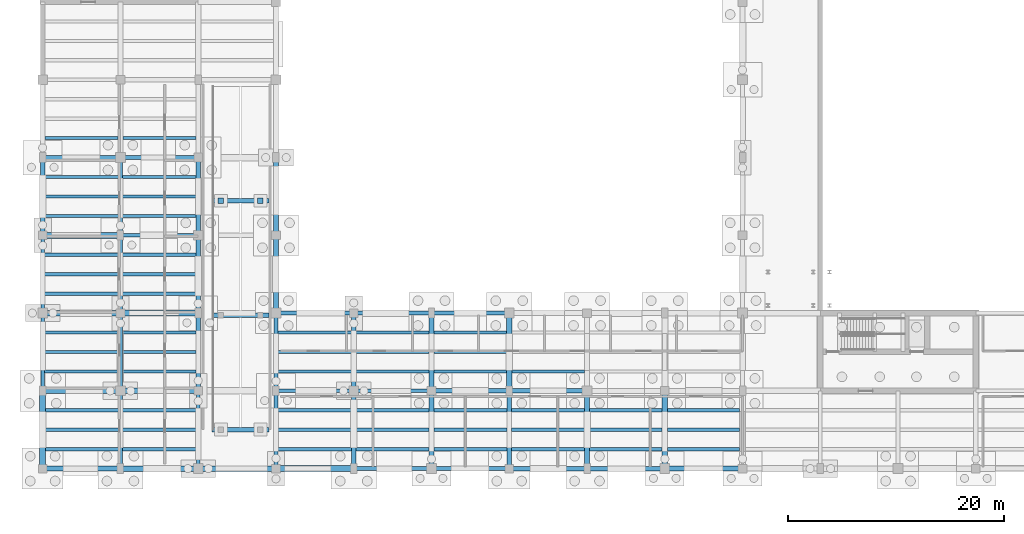
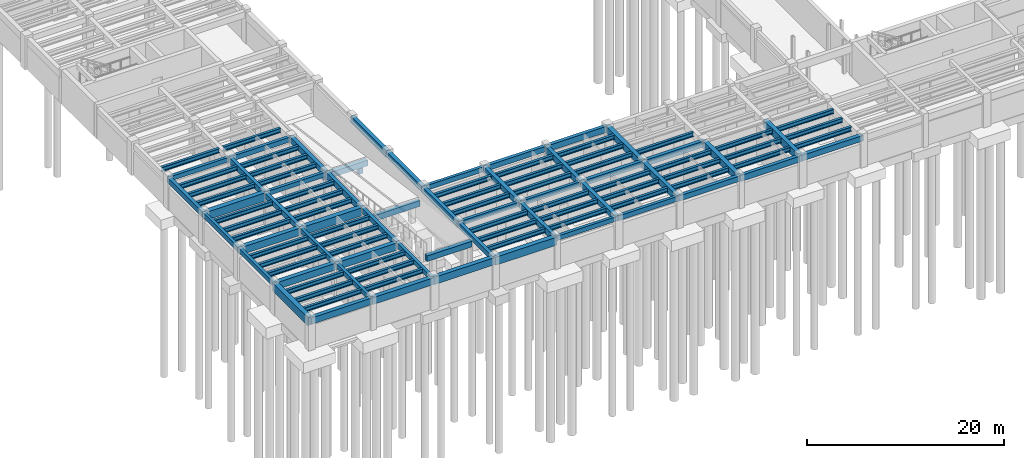
# One storey, part 8 of 33: 105 beams, 2 columns.
"""IFC4 building model written with IfcOpenShell, lengths in metres."""

from ifc_helpers import new_model, si_unit, direction, frame, origin, origin_2d, place, context, subcontext, project, spatial, rectangle, i_section, extrude, material, material_profile, profile_set, type_object, element, save


model = new_model("IFC4")

# Units and contexts
model_context = context("Model", 3, precision=1e-05, world=origin(), true_north=direction((0.0, 1.0)))
body_context = subcontext(model_context, "Body", "Model", "MODEL_VIEW")
ifc_project = project(units=[si_unit("LENGTHUNIT", "METRE"), si_unit("AREAUNIT", "SQUARE_METRE"), si_unit("VOLUMEUNIT", "CUBIC_METRE"), si_unit("PLANEANGLEUNIT", "RADIAN"), si_unit("MASSUNIT", "GRAM", prefix="KILO")], contexts=[model_context])

# Site, building, storey
site_placement = place(None, origin())
site = spatial("IfcSite", under=ifc_project, at=site_placement, CompositionType="ELEMENT")
building_placement = place(site_placement, origin())
building = spatial("IfcBuilding", under=site, at=building_placement, Name="Mithqara Police Headquarters", CompositionType="ELEMENT")
storey_placement = place(building_placement, frame((0.0, 0.0, -4.199951171875)))
storey = spatial("IfcBuildingStorey", under=building, at=storey_placement, Name="B1", CompositionType="ELEMENT", Elevation=-4.199951171875)

# Columns
ifc_material_1 = material(Name="Concrete C50/60", Category="concrete")
ifc_material_profile_1 = material_profile(ifc_material_1, rectangle(XDim=0.5, YDim=0.5, at=origin_2d()), Name="RC 500x500")
ifc_profile_set_1 = profile_set([ifc_material_profile_1], Name="Concrete C50/60")
column_type = type_object("IfcColumnType", Name="COLUMN RC500", PredefinedType="COLUMN", material=ifc_profile_set_1)
for number, where, z_axis, x_axis, name in (
    (1, (24.300048828125, 45.800048828125, -0.300048828125), (0.0, 0.0, 1.0), (1.0, 0.0, 0.0), "VR-01 Ramp Pier 1W"),
    (2, (27.949951171875, 45.800048828125, -0.300048828125), (0.0, 0.0, 1.0), (1.0, 0.0, 0.0), "VR-01 Ramp Pier 1E"),
):
    element("IfcColumn", number, at=place(storey_placement, frame(where, z_axis=z_axis, x_axis=x_axis)), inside=storey, type_object=column_type, Name=name, PredefinedType="COLUMN", context=body_context, shape_type="SweptSolid", body=[
        extrude(rectangle(XDim=0.5, YDim=0.5, at=origin_2d()), origin(), (0.0, 0.0, 1.0), 0.700927734375),
    ])

# Beams
ifc_material_2 = material(Name="Steel S355JR", Category="steel")
ifc_material_profile_2 = material_profile(ifc_material_2, i_section(OverallWidth=0.300048828125, OverallDepth=0.550048828125, WebThickness=0.014892578125, FlangeThickness=0.029052734375, FilletRadius=0.027099609375, at=origin_2d()), Name="HEB 550")
ifc_profile_set_2 = profile_set([ifc_material_profile_2], Name="Steel S355JR")
beam_type_1 = type_object("IfcBeamType", Name="BEAM HEB550", PredefinedType="BEAM", material=ifc_profile_set_2)
for number, where, z_axis, x_axis, name in (
    (3, (8.074951171875, 22.800048828125, 3.60498046875), (1.0, 0.0, 0.0), (0.0, 1.0, 0.0), "B1 Composite Steel Joist 2-3/D.1"),
    (4, (8.074951171875, 24.60009765625, 3.60498046875), (1.0, 0.0, 0.0), (0.0, 1.0, 0.0), "B1 Composite Steel Joist 2-3/D.2"),
    (5, (8.074951171875, 26.39990234375, 3.60498046875), (1.0, 0.0, 0.0), (0.0, 1.0, 0.0), "B1 Composite Steel Joist 2-3/D.3"),
):
    element("IfcBeam", number, at=place(storey_placement, frame(where, z_axis=z_axis, x_axis=x_axis)), inside=storey, type_object=beam_type_1, Name=name, PredefinedType="BEAM", context=body_context, shape_type="SweptSolid", body=[
        extrude(i_section(OverallWidth=0.300048828125, OverallDepth=0.550048828125, WebThickness=0.014892578125, FlangeThickness=0.029052734375, FilletRadius=0.027099609375, at=origin_2d()), origin(), (0.0, 0.0, 1.0), 6.75),
    ])
for number, where, z_axis, x_axis, name in (
    (6, (7.97509765625, 30.0, 3.60498046875), (1.0, 0.0, 0.0), (0.0, 1.0, 0.0), "B1 Composite Steel Joist 2-3/E.1"),
    (7, (7.97509765625, 31.800048828125, 3.60498046875), (1.0, 0.0, 0.0), (0.0, 1.0, 0.0), "B1 Composite Steel Joist 2-3/E.2"),
    (8, (7.97509765625, 33.60009765625, 3.60498046875), (1.0, 0.0, 0.0), (0.0, 1.0, 0.0), "B1 Composite Steel Joist 2-3/E.3"),
):
    element("IfcBeam", number, at=place(storey_placement, frame(where, z_axis=z_axis, x_axis=x_axis)), inside=storey, type_object=beam_type_1, Name=name, PredefinedType="BEAM", context=body_context, shape_type="SweptSolid", body=[
        extrude(i_section(OverallWidth=0.300048828125, OverallDepth=0.550048828125, WebThickness=0.014892578125, FlangeThickness=0.029052734375, FilletRadius=0.027099609375, at=origin_2d()), origin(), (0.0, 0.0, 1.0), 6.849853515625),
    ])
for number, where, z_axis, x_axis, name in (
    (9, (7.97509765625, 37.199951171875, 3.60498046875), (1.0, 0.0, 0.0), (0.0, 1.0, 0.0), "B1 Composite Steel Joist 2-3/F.1"),
    (10, (7.97509765625, 39.0, 3.60498046875), (1.0, 0.0, 0.0), (0.0, 1.0, 0.0), "B1 Composite Steel Joist 2-3/F.2"),
    (11, (7.97509765625, 40.800048828125, 3.60498046875), (1.0, 0.0, 0.0), (0.0, 1.0, 0.0), "B1 Composite Steel Joist 2-3/F.3"),
):
    element("IfcBeam", number, at=place(storey_placement, frame(where, z_axis=z_axis, x_axis=x_axis)), inside=storey, type_object=beam_type_1, Name=name, PredefinedType="BEAM", context=body_context, shape_type="SweptSolid", body=[
        extrude(i_section(OverallWidth=0.300048828125, OverallDepth=0.550048828125, WebThickness=0.014892578125, FlangeThickness=0.029052734375, FilletRadius=0.027099609375, at=origin_2d()), origin(), (0.0, 0.0, 1.0), 6.824951171875),
    ])
for number, where, z_axis, x_axis, name in (
    (12, (8.0, 44.39990234375, 3.60498046875), (1.0, 0.0, 0.0), (0.0, 1.0, 0.0), "B1 Composite Steel Joist 2-3/G.1"),
    (13, (8.0, 46.199951171875, 3.60498046875), (1.0, 0.0, 0.0), (0.0, 1.0, 0.0), "B1 Composite Steel Joist 2-3/G.2"),
    (14, (8.0, 48.0, 3.60498046875), (1.0, 0.0, 0.0), (0.0, 1.0, 0.0), "B1 Composite Steel Joist 2-3/G.3"),
):
    element("IfcBeam", number, at=place(storey_placement, frame(where, z_axis=z_axis, x_axis=x_axis)), inside=storey, type_object=beam_type_1, Name=name, PredefinedType="BEAM", context=body_context, shape_type="SweptSolid", body=[
        extrude(i_section(OverallWidth=0.300048828125, OverallDepth=0.550048828125, WebThickness=0.014892578125, FlangeThickness=0.029052734375, FilletRadius=0.027099609375, at=origin_2d()), origin(), (0.0, 0.0, 1.0), 6.800048828125),
    ])
beam_1_placement = place(storey_placement, frame((8.0, 51.60009765625, 3.60498046875), z_axis=(1.0, 0.0, 0.0), x_axis=(0.0, 1.0, 0.0)))
element("IfcBeam", 15, at=beam_1_placement, inside=storey, type_object=beam_type_1, Name="B1 Composite Steel Joist 2-3/H.1", PredefinedType="BEAM", context=body_context, shape_type="SweptSolid", body=[
    extrude(i_section(OverallWidth=0.300048828125, OverallDepth=0.550048828125, WebThickness=0.014892578125, FlangeThickness=0.029052734375, FilletRadius=0.027099609375, at=origin_2d()), origin(), (0.0, 0.0, 1.0), 6.77490234375),
])
for number, where, z_axis, x_axis, name in (
    (16, (15.175048828125, 22.800048828125, 3.60498046875), (1.0, 0.0, 0.0), (0.0, 1.0, 0.0), "B1 Composite Steel Joist 3-4/D.1"),
    (17, (15.175048828125, 24.60009765625, 3.60498046875), (1.0, 0.0, 0.0), (0.0, 1.0, 0.0), "B1 Composite Steel Joist 3-4/D.2"),
    (18, (15.175048828125, 26.39990234375, 3.60498046875), (1.0, 0.0, 0.0), (0.0, 1.0, 0.0), "B1 Composite Steel Joist 3-4/D.3"),
):
    element("IfcBeam", number, at=place(storey_placement, frame(where, z_axis=z_axis, x_axis=x_axis)), inside=storey, type_object=beam_type_1, Name=name, PredefinedType="BEAM", context=body_context, shape_type="SweptSolid", body=[
        extrude(i_section(OverallWidth=0.300048828125, OverallDepth=0.550048828125, WebThickness=0.014892578125, FlangeThickness=0.029052734375, FilletRadius=0.027099609375, at=origin_2d()), origin(), (0.0, 0.0, 1.0), 6.849853515625),
    ])
for number, where, z_axis, x_axis, name in (
    (19, (15.175048828125, 30.0, 3.60498046875), (1.0, 0.0, 0.0), (0.0, 1.0, 0.0), "B1 Composite Steel Joist 3-4/E.1"),
    (20, (15.175048828125, 31.800048828125, 3.60498046875), (1.0, 0.0, 0.0), (0.0, 1.0, 0.0), "B1 Composite Steel Joist 3-4/E.2"),
    (21, (15.175048828125, 33.60009765625, 3.60498046875), (1.0, 0.0, 0.0), (0.0, 1.0, 0.0), "B1 Composite Steel Joist 3-4/E.3"),
):
    element("IfcBeam", number, at=place(storey_placement, frame(where, z_axis=z_axis, x_axis=x_axis)), inside=storey, type_object=beam_type_1, Name=name, PredefinedType="BEAM", context=body_context, shape_type="SweptSolid", body=[
        extrude(i_section(OverallWidth=0.300048828125, OverallDepth=0.550048828125, WebThickness=0.014892578125, FlangeThickness=0.029052734375, FilletRadius=0.027099609375, at=origin_2d()), origin(), (0.0, 0.0, 1.0), 6.824951171875),
    ])
for number, where, z_axis, x_axis, name in (
    (22, (15.199951171875, 37.199951171875, 3.60498046875), (1.0, 0.0, 0.0), (0.0, 1.0, 0.0), "B1 Composite Steel Joist 3-4/F.1"),
    (23, (15.199951171875, 39.0, 3.60498046875), (1.0, 0.0, 0.0), (0.0, 1.0, 0.0), "B1 Composite Steel Joist 3-4/F.2"),
    (24, (15.199951171875, 40.800048828125, 3.60498046875), (1.0, 0.0, 0.0), (0.0, 1.0, 0.0), "B1 Composite Steel Joist 3-4/F.3"),
):
    element("IfcBeam", number, at=place(storey_placement, frame(where, z_axis=z_axis, x_axis=x_axis)), inside=storey, type_object=beam_type_1, Name=name, PredefinedType="BEAM", context=body_context, shape_type="SweptSolid", body=[
        extrude(i_section(OverallWidth=0.300048828125, OverallDepth=0.550048828125, WebThickness=0.014892578125, FlangeThickness=0.029052734375, FilletRadius=0.027099609375, at=origin_2d()), origin(), (0.0, 0.0, 1.0), 6.800048828125),
    ])
for number, where, z_axis, x_axis, name in (
    (25, (15.199951171875, 44.39990234375, 3.60498046875), (1.0, 0.0, 0.0), (0.0, 1.0, 0.0), "B1 Composite Steel Joist 3-4/G.1"),
    (26, (15.199951171875, 46.199951171875, 3.60498046875), (1.0, 0.0, 0.0), (0.0, 1.0, 0.0), "B1 Composite Steel Joist 3-4/G.2"),
    (27, (15.199951171875, 48.0, 3.60498046875), (1.0, 0.0, 0.0), (0.0, 1.0, 0.0), "B1 Composite Steel Joist 3-4/G.3"),
):
    element("IfcBeam", number, at=place(storey_placement, frame(where, z_axis=z_axis, x_axis=x_axis)), inside=storey, type_object=beam_type_1, Name=name, PredefinedType="BEAM", context=body_context, shape_type="SweptSolid", body=[
        extrude(i_section(OverallWidth=0.300048828125, OverallDepth=0.550048828125, WebThickness=0.014892578125, FlangeThickness=0.029052734375, FilletRadius=0.027099609375, at=origin_2d()), origin(), (0.0, 0.0, 1.0), 6.775146484375),
    ])
beam_2_placement = place(storey_placement, frame((15.22509765625, 51.60009765625, 3.60498046875), z_axis=(1.0, 0.0, 0.0), x_axis=(0.0, 1.0, 0.0)))
element("IfcBeam", 28, at=beam_2_placement, inside=storey, type_object=beam_type_1, Name="B1 Composite Steel Joist 3-4/H.1", PredefinedType="BEAM", context=body_context, shape_type="SweptSolid", body=[
    extrude(i_section(OverallWidth=0.300048828125, OverallDepth=0.550048828125, WebThickness=0.014892578125, FlangeThickness=0.029052734375, FilletRadius=0.027099609375, at=origin_2d()), origin(), (0.0, 0.0, 1.0), 6.75),
])
for number, where, z_axis, x_axis, name in (
    (29, (29.60009765625, 22.800048828125, 3.60498046875), (1.0, 0.0, 0.0), (0.0, 1.0, 0.0), "B1 Composite Steel Joist 5-6/D.1"),
    (30, (29.60009765625, 24.60009765625, 3.60498046875), (1.0, 0.0, 0.0), (0.0, 1.0, 0.0), "B1 Composite Steel Joist 5-6/D.2"),
    (31, (29.60009765625, 26.39990234375, 3.60498046875), (1.0, 0.0, 0.0), (0.0, 1.0, 0.0), "B1 Composite Steel Joist 5-6/D.3"),
):
    element("IfcBeam", number, at=place(storey_placement, frame(where, z_axis=z_axis, x_axis=x_axis)), inside=storey, type_object=beam_type_1, Name=name, PredefinedType="BEAM", context=body_context, shape_type="SweptSolid", body=[
        extrude(i_section(OverallWidth=0.300048828125, OverallDepth=0.550048828125, WebThickness=0.014892578125, FlangeThickness=0.029052734375, FilletRadius=0.027099609375, at=origin_2d()), origin(), (0.0, 0.0, 1.0), 6.7998046875),
    ])
for number, where, z_axis, x_axis, name in (
    (32, (29.60009765625, 30.0, 3.60498046875), (1.0, 0.0, 0.0), (0.0, 1.0, 0.0), "B1 Composite Steel Joist 5-6/E.1"),
    (33, (29.60009765625, 31.800048828125, 3.60498046875), (1.0, 0.0, 0.0), (0.0, 1.0, 0.0), "B1 Composite Steel Joist 5-6/E.2"),
    (34, (29.60009765625, 33.60009765625, 3.60498046875), (1.0, 0.0, 0.0), (0.0, 1.0, 0.0), "B1 Composite Steel Joist 5-6/E.3"),
    (35, (36.800048828125, 22.800048828125, 3.60498046875), (1.0, 0.0, 0.0), (0.0, 1.0, 0.0), "B1 Composite Steel Joist 6-7/D.1"),
    (36, (36.800048828125, 24.60009765625, 3.60498046875), (1.0, 0.0, 0.0), (0.0, 1.0, 0.0), "B1 Composite Steel Joist 6-7/D.2"),
    (37, (36.800048828125, 26.39990234375, 3.60498046875), (1.0, 0.0, 0.0), (0.0, 1.0, 0.0), "B1 Composite Steel Joist 6-7/D.3"),
):
    element("IfcBeam", number, at=place(storey_placement, frame(where, z_axis=z_axis, x_axis=x_axis)), inside=storey, type_object=beam_type_1, Name=name, PredefinedType="BEAM", context=body_context, shape_type="SweptSolid", body=[
        extrude(i_section(OverallWidth=0.300048828125, OverallDepth=0.550048828125, WebThickness=0.014892578125, FlangeThickness=0.029052734375, FilletRadius=0.027099609375, at=origin_2d()), origin(), (0.0, 0.0, 1.0), 6.77490234375),
    ])
for number, where, z_axis, x_axis, name in (
    (38, (36.824951171875, 30.0, 3.60498046875), (1.0, 0.0, 0.0), (0.0, 1.0, 0.0), "B1 Composite Steel Joist 6-7/E.1"),
    (39, (36.824951171875, 31.800048828125, 3.60498046875), (1.0, 0.0, 0.0), (0.0, 1.0, 0.0), "B1 Composite Steel Joist 6-7/E.2"),
    (40, (36.824951171875, 33.60009765625, 3.60498046875), (1.0, 0.0, 0.0), (0.0, 1.0, 0.0), "B1 Composite Steel Joist 6-7/E.3"),
    (41, (44.02490234375, 22.800048828125, 3.60498046875), (1.0, 0.0, 0.0), (0.0, 1.0, 0.0), "B1 Composite Steel Joist 7-8/D.1"),
    (42, (44.02490234375, 24.60009765625, 3.60498046875), (1.0, 0.0, 0.0), (0.0, 1.0, 0.0), "B1 Composite Steel Joist 7-8/D.2"),
    (43, (44.02490234375, 26.39990234375, 3.60498046875), (1.0, 0.0, 0.0), (0.0, 1.0, 0.0), "B1 Composite Steel Joist 7-8/D.3"),
):
    element("IfcBeam", number, at=place(storey_placement, frame(where, z_axis=z_axis, x_axis=x_axis)), inside=storey, type_object=beam_type_1, Name=name, PredefinedType="BEAM", context=body_context, shape_type="SweptSolid", body=[
        extrude(i_section(OverallWidth=0.300048828125, OverallDepth=0.550048828125, WebThickness=0.014892578125, FlangeThickness=0.029052734375, FilletRadius=0.027099609375, at=origin_2d()), origin(), (0.0, 0.0, 1.0), 6.75),
    ])
for number, where, z_axis, x_axis, name in (
    (44, (44.02490234375, 30.0, 3.60498046875), (1.0, 0.0, 0.0), (0.0, 1.0, 0.0), "B1 Composite Steel Joist 7-8/E.1"),
    (45, (44.02490234375, 31.800048828125, 3.60498046875), (1.0, 0.0, 0.0), (0.0, 1.0, 0.0), "B1 Composite Steel Joist 7-8/E.2"),
    (46, (44.02490234375, 33.60009765625, 3.60498046875), (1.0, 0.0, 0.0), (0.0, 1.0, 0.0), "B1 Composite Steel Joist 7-8/E.3"),
):
    element("IfcBeam", number, at=place(storey_placement, frame(where, z_axis=z_axis, x_axis=x_axis)), inside=storey, type_object=beam_type_1, Name=name, PredefinedType="BEAM", context=body_context, shape_type="SweptSolid", body=[
        extrude(i_section(OverallWidth=0.300048828125, OverallDepth=0.550048828125, WebThickness=0.014892578125, FlangeThickness=0.029052734375, FilletRadius=0.027099609375, at=origin_2d()), origin(), (0.0, 0.0, 1.0), 6.72509765625),
    ])
for number, where, z_axis, x_axis, name in (
    (47, (51.22509765625, 22.800048828125, 3.60498046875), (1.0, 0.0, 0.0), (0.0, 1.0, 0.0), "B1 Composite Steel Joist 8-9/D.1"),
    (48, (51.22509765625, 24.60009765625, 3.60498046875), (1.0, 0.0, 0.0), (0.0, 1.0, 0.0), "B1 Composite Steel Joist 8-9/D.2"),
    (49, (51.22509765625, 26.39990234375, 3.60498046875), (1.0, 0.0, 0.0), (0.0, 1.0, 0.0), "B1 Composite Steel Joist 8-9/D.3"),
):
    element("IfcBeam", number, at=place(storey_placement, frame(where, z_axis=z_axis, x_axis=x_axis)), inside=storey, type_object=beam_type_1, Name=name, PredefinedType="BEAM", context=body_context, shape_type="SweptSolid", body=[
        extrude(i_section(OverallWidth=0.300048828125, OverallDepth=0.550048828125, WebThickness=0.014892578125, FlangeThickness=0.029052734375, FilletRadius=0.027099609375, at=origin_2d()), origin(), (0.0, 0.0, 1.0), 6.724853515625),
    ])
for number, where, z_axis, x_axis, name in (
    (50, (51.25, 30.0, 3.60498046875), (1.0, 0.0, 0.0), (0.0, 1.0, 0.0), "B1 Composite Steel Joist 8-9/E.1"),
    (51, (58.449951171875, 22.800048828125, 3.60498046875), (1.0, 0.0, 0.0), (0.0, 1.0, 0.0), "B1 Composite Steel Joist 9-10/D.1"),
    (52, (58.449951171875, 24.60009765625, 3.60498046875), (1.0, 0.0, 0.0), (0.0, 1.0, 0.0), "B1 Composite Steel Joist 9-10/D.2"),
    (53, (58.449951171875, 26.39990234375, 3.60498046875), (1.0, 0.0, 0.0), (0.0, 1.0, 0.0), "B1 Composite Steel Joist 9-10/D.3"),
):
    element("IfcBeam", number, at=place(storey_placement, frame(where, z_axis=z_axis, x_axis=x_axis)), inside=storey, type_object=beam_type_1, Name=name, PredefinedType="BEAM", context=body_context, shape_type="SweptSolid", body=[
        extrude(i_section(OverallWidth=0.300048828125, OverallDepth=0.550048828125, WebThickness=0.014892578125, FlangeThickness=0.029052734375, FilletRadius=0.027099609375, at=origin_2d()), origin(), (0.0, 0.0, 1.0), 6.699951171875),
    ])
for number, where, z_axis, x_axis, name in (
    (54, (65.64990234375, 22.800048828125, 3.60498046875), (1.0, 0.0, 0.0), (0.0, 1.0, 0.0), "B1 Composite Steel Joist 10-11/D.1"),
    (55, (65.64990234375, 24.60009765625, 3.60498046875), (1.0, 0.0, 0.0), (0.0, 1.0, 0.0), "B1 Composite Steel Joist 10-11/D.2"),
    (56, (65.64990234375, 26.39990234375, 3.60498046875), (1.0, 0.0, 0.0), (0.0, 1.0, 0.0), "B1 Composite Steel Joist 10-11/D.3"),
):
    element("IfcBeam", number, at=place(storey_placement, frame(where, z_axis=z_axis, x_axis=x_axis)), inside=storey, type_object=beam_type_1, Name=name, PredefinedType="BEAM", context=body_context, shape_type="SweptSolid", body=[
        extrude(i_section(OverallWidth=0.300048828125, OverallDepth=0.550048828125, WebThickness=0.014892578125, FlangeThickness=0.029052734375, FilletRadius=0.027099609375, at=origin_2d()), origin(), (0.0, 0.0, 1.0), 6.675048828125),
    ])
ifc_material_3 = material(Name="Concrete C40/50", Category="concrete")
ifc_material_profile_3 = material_profile(ifc_material_3, rectangle(XDim=0.35009765625, YDim=0.550048828125, at=origin_2d()), Name="RC 350x550")
ifc_profile_set_3 = profile_set([ifc_material_profile_3], Name="Concrete C40/50")
beam_type_2 = type_object("IfcBeamType", Name="BEAM RC350X550", PredefinedType="BEAM", material=ifc_profile_set_3)
for number, where, z_axis, x_axis, name in (
    (57, (7.800048828125, 28.199951171875, 3.60498046875), (0.0, 1.0, 0.0), (-1.0, 0.0, 0.0), "B1 Girder 2/E-F"),
    (58, (7.800048828125, 49.800048828125, 3.60498046875), (1.0, 0.0, 0.0), (0.0, 1.0, 0.0), "B1 Girder 2-3/H"),
    (59, (15.0, 21.0, 3.60498046875), (0.0, 1.0, 0.0), (-1.0, 0.0, 0.0), "B1 Girder 3/D-E"),
    (60, (15.0, 42.60009765625, 3.60498046875), (1.0, 0.0, 0.0), (0.0, 1.0, 0.0), "B1 Girder 3-4/G"),
):
    element("IfcBeam", number, at=place(storey_placement, frame(where, z_axis=z_axis, x_axis=x_axis)), inside=storey, type_object=beam_type_2, Name=name, PredefinedType="BEAM", context=body_context, shape_type="SweptSolid", body=[
        extrude(rectangle(XDim=0.35009765625, YDim=0.550048828125, at=origin_2d()), origin(), (0.0, 0.0, 1.0), 7.199951171875),
    ])
beam_3_placement = place(storey_placement, frame((29.39990234375, 28.199951171875, 3.60498046875), z_axis=(1.0, 0.0, 0.0), x_axis=(0.0, 1.0, 0.0)))
element("IfcBeam", 61, at=beam_3_placement, inside=storey, type_object=beam_type_2, Name="B1 Girder 5-6/E", PredefinedType="BEAM", context=body_context, shape_type="SweptSolid", body=[
    extrude(rectangle(XDim=0.35009765625, YDim=0.550048828125, at=origin_2d()), origin(), (0.0, 0.0, 1.0), 7.2001953125),
])
beam_4_placement = place(storey_placement, frame((36.60009765625, 21.0, 3.60498046875), z_axis=(1.0, 0.0, 0.0), x_axis=(0.0, 1.0, 0.0)))
element("IfcBeam", 62, at=beam_4_placement, inside=storey, type_object=beam_type_2, Name="B1 Girder 6-7/D", PredefinedType="BEAM", context=body_context, shape_type="SweptSolid", body=[
    extrude(rectangle(XDim=0.35009765625, YDim=0.550048828125, at=origin_2d()), origin(), (0.0, 0.0, 1.0), 7.199951171875),
])
ifc_material_profile_4 = material_profile(ifc_material_3, rectangle(XDim=0.35009765625, YDim=0.60009765625, at=origin_2d()), Name="RC 350x600")
ifc_profile_set_4 = profile_set([ifc_material_profile_4], Name="Concrete C40/50")
beam_type_3 = type_object("IfcBeamType", Name="BEAM RC350X600", PredefinedType="BEAM", material=ifc_profile_set_4)
beam_5_placement = place(storey_placement, frame((7.800048828125, 35.39990234375, 3.579833984375), z_axis=(0.0, 1.0, 0.0), x_axis=(-1.0, 0.0, 0.0)))
element("IfcBeam", 63, at=beam_5_placement, inside=storey, type_object=beam_type_3, Name="B1 Girder 2/F-G", PredefinedType="BEAM", context=body_context, shape_type="SweptSolid", body=[
    extrude(rectangle(XDim=0.35009765625, YDim=0.60009765625, at=origin_2d()), origin(), (0.0, 0.0, 1.0), 7.2001953125),
])
for number, where, z_axis, x_axis, name in (
    (64, (15.0, 28.199951171875, 3.579833984375), (0.0, 1.0, 0.0), (-1.0, 0.0, 0.0), "B1 Girder 3/E-F"),
    (65, (15.0, 49.800048828125, 3.579833984375), (1.0, 0.0, 0.0), (0.0, 1.0, 0.0), "B1 Girder 3-4/H"),
    (66, (22.199951171875, 21.0, 3.579833984375), (0.0, 1.0, 0.0), (-1.0, 0.0, 0.0), "B1 Girder 4/D-E"),
):
    element("IfcBeam", number, at=place(storey_placement, frame(where, z_axis=z_axis, x_axis=x_axis)), inside=storey, type_object=beam_type_3, Name=name, PredefinedType="BEAM", context=body_context, shape_type="SweptSolid", body=[
        extrude(rectangle(XDim=0.35009765625, YDim=0.60009765625, at=origin_2d()), origin(), (0.0, 0.0, 1.0), 7.199951171875),
    ])
beam_6_placement = place(storey_placement, frame((29.39990234375, 35.39990234375, 3.579833984375), z_axis=(1.0, 0.0, 0.0), x_axis=(0.0, 1.0, 0.0)))
element("IfcBeam", 67, at=beam_6_placement, inside=storey, type_object=beam_type_3, Name="B1 Girder 5-6/F", PredefinedType="BEAM", context=body_context, shape_type="SweptSolid", body=[
    extrude(rectangle(XDim=0.35009765625, YDim=0.60009765625, at=origin_2d()), origin(), (0.0, 0.0, 1.0), 7.2001953125),
])
for number, where, z_axis, x_axis, name in (
    (68, (36.60009765625, 28.199951171875, 3.579833984375), (1.0, 0.0, 0.0), (0.0, 1.0, 0.0), "B1 Girder 6-7/E"),
    (69, (43.800048828125, 21.0, 3.579833984375), (1.0, 0.0, 0.0), (0.0, 1.0, 0.0), "B1 Girder 7-8/D"),
):
    element("IfcBeam", number, at=place(storey_placement, frame(where, z_axis=z_axis, x_axis=x_axis)), inside=storey, type_object=beam_type_3, Name=name, PredefinedType="BEAM", context=body_context, shape_type="SweptSolid", body=[
        extrude(rectangle(XDim=0.35009765625, YDim=0.60009765625, at=origin_2d()), origin(), (0.0, 0.0, 1.0), 7.199951171875),
    ])
ifc_material_profile_5 = material_profile(ifc_material_3, rectangle(XDim=0.39990234375, YDim=0.64990234375, at=origin_2d()), Name="RC 400x650")
ifc_profile_set_5 = profile_set([ifc_material_profile_5], Name="Concrete C40/50")
beam_type_4 = type_object("IfcBeamType", Name="BEAM RC400X650", PredefinedType="BEAM", material=ifc_profile_set_5)
beam_7_placement = place(storey_placement, frame((7.800048828125, 42.60009765625, 3.554931640625), z_axis=(0.0, 1.0, 0.0), x_axis=(-1.0, 0.0, 0.0)))
element("IfcBeam", 70, at=beam_7_placement, inside=storey, type_object=beam_type_4, Name="B1 Girder 2/G-H", PredefinedType="BEAM", context=body_context, shape_type="SweptSolid", body=[
    extrude(rectangle(XDim=0.39990234375, YDim=0.64990234375, at=origin_2d()), origin(), (0.0, 0.0, 1.0), 7.199951171875),
])
beam_8_placement = place(storey_placement, frame((15.0, 35.39990234375, 3.554931640625), z_axis=(0.0, 1.0, 0.0), x_axis=(-1.0, 0.0, 0.0)))
element("IfcBeam", 71, at=beam_8_placement, inside=storey, type_object=beam_type_4, Name="B1 Girder 3/F-G", PredefinedType="BEAM", context=body_context, shape_type="SweptSolid", body=[
    extrude(rectangle(XDim=0.39990234375, YDim=0.64990234375, at=origin_2d()), origin(), (0.0, 0.0, 1.0), 7.2001953125),
])
for number, where, z_axis, x_axis, name in (
    (72, (22.199951171875, 28.199951171875, 3.554931640625), (0.0, 1.0, 0.0), (-1.0, 0.0, 0.0), "B1 Girder 4/E-F"),
    (73, (29.39990234375, 21.0, 3.554931640625), (0.0, 1.0, 0.0), (-1.0, 0.0, 0.0), "B1 Girder 5/D-E"),
    (74, (36.60009765625, 35.39990234375, 3.554931640625), (1.0, 0.0, 0.0), (0.0, 1.0, 0.0), "B1 Girder 6-7/F"),
    (75, (43.800048828125, 28.199951171875, 3.554931640625), (1.0, 0.0, 0.0), (0.0, 1.0, 0.0), "B1 Girder 7-8/E"),
    (76, (51.0, 21.0, 3.554931640625), (1.0, 0.0, 0.0), (0.0, 1.0, 0.0), "B1 Girder 8-9/D"),
):
    element("IfcBeam", number, at=place(storey_placement, frame(where, z_axis=z_axis, x_axis=x_axis)), inside=storey, type_object=beam_type_4, Name=name, PredefinedType="BEAM", context=body_context, shape_type="SweptSolid", body=[
        extrude(rectangle(XDim=0.39990234375, YDim=0.64990234375, at=origin_2d()), origin(), (0.0, 0.0, 1.0), 7.199951171875),
    ])
ifc_material_profile_6 = material_profile(ifc_material_3, rectangle(XDim=0.39990234375, YDim=0.75, at=origin_2d()), Name="RC 400x750")
ifc_profile_set_6 = profile_set([ifc_material_profile_6], Name="Concrete C40/50")
beam_type_5 = type_object("IfcBeamType", Name="BEAM RC400X750", PredefinedType="BEAM", material=ifc_profile_set_6)
beam_9_placement = place(storey_placement, frame((15.0, 42.60009765625, 3.5048828125), z_axis=(0.0, 1.0, 0.0), x_axis=(-1.0, 0.0, 0.0)))
element("IfcBeam", 77, at=beam_9_placement, inside=storey, type_object=beam_type_5, Name="B1 Girder 3/G-H", PredefinedType="BEAM", context=body_context, shape_type="SweptSolid", body=[
    extrude(rectangle(XDim=0.39990234375, YDim=0.75, at=origin_2d()), origin(), (0.0, 0.0, 1.0), 7.199951171875),
])
beam_10_placement = place(storey_placement, frame((22.199951171875, 35.39990234375, 3.5048828125), z_axis=(0.0, 1.0, 0.0), x_axis=(-1.0, 0.0, 0.0)))
element("IfcBeam", 78, at=beam_10_placement, inside=storey, type_object=beam_type_5, Name="B1 Girder 4/F-G", PredefinedType="BEAM", context=body_context, shape_type="SweptSolid", body=[
    extrude(rectangle(XDim=0.39990234375, YDim=0.75, at=origin_2d()), origin(), (0.0, 0.0, 1.0), 7.2001953125),
])
for number, where, z_axis, x_axis, name in (
    (79, (29.39990234375, 28.199951171875, 3.5048828125), (0.0, 1.0, 0.0), (-1.0, 0.0, 0.0), "B1 Girder 5/E-F"),
    (80, (36.60009765625, 21.0, 3.5048828125), (0.0, 1.0, 0.0), (-1.0, 0.0, 0.0), "B1 Girder 6/D-E"),
    (81, (43.800048828125, 35.39990234375, 3.5048828125), (1.0, 0.0, 0.0), (0.0, 1.0, 0.0), "B1 Girder 7-8/F"),
    (82, (51.0, 28.199951171875, 3.5048828125), (1.0, 0.0, 0.0), (0.0, 1.0, 0.0), "B1 Girder 8-9/E"),
    (83, (58.199951171875, 21.0, 3.5048828125), (1.0, 0.0, 0.0), (0.0, 1.0, 0.0), "B1 Girder 9-10/D"),
):
    element("IfcBeam", number, at=place(storey_placement, frame(where, z_axis=z_axis, x_axis=x_axis)), inside=storey, type_object=beam_type_5, Name=name, PredefinedType="BEAM", context=body_context, shape_type="SweptSolid", body=[
        extrude(rectangle(XDim=0.39990234375, YDim=0.75, at=origin_2d()), origin(), (0.0, 0.0, 1.0), 7.199951171875),
    ])
ifc_material_profile_7 = material_profile(ifc_material_3, rectangle(XDim=0.449951171875, YDim=0.699951171875, at=origin_2d()), Name="RC 450x700")
ifc_profile_set_7 = profile_set([ifc_material_profile_7], Name="Concrete C40/50")
beam_type_6 = type_object("IfcBeamType", Name="BEAM RC450X700", PredefinedType="BEAM", material=ifc_profile_set_7)
beam_11_placement = place(storey_placement, frame((22.199951171875, 42.60009765625, 3.530029296875), z_axis=(0.0, 1.0, 0.0), x_axis=(-1.0, 0.0, 0.0)))
element("IfcBeam", 84, at=beam_11_placement, inside=storey, type_object=beam_type_6, Name="B1 Girder 4/G-H", PredefinedType="BEAM", context=body_context, shape_type="SweptSolid", body=[
    extrude(rectangle(XDim=0.449951171875, YDim=0.699951171875, at=origin_2d()), origin(), (0.0, 0.0, 1.0), 7.199951171875),
])
beam_12_placement = place(storey_placement, frame((29.39990234375, 35.39990234375, 3.530029296875), z_axis=(0.0, 1.0, 0.0), x_axis=(-1.0, 0.0, 0.0)))
element("IfcBeam", 85, at=beam_12_placement, inside=storey, type_object=beam_type_6, Name="B1 Girder 5/F-G", PredefinedType="BEAM", context=body_context, shape_type="SweptSolid", body=[
    extrude(rectangle(XDim=0.449951171875, YDim=0.699951171875, at=origin_2d()), origin(), (0.0, 0.0, 1.0), 7.2001953125),
])
for number, where, z_axis, x_axis, name in (
    (86, (36.60009765625, 28.199951171875, 3.530029296875), (0.0, 1.0, 0.0), (-1.0, 0.0, 0.0), "B1 Girder 6/E-F"),
    (87, (43.800048828125, 21.0, 3.530029296875), (0.0, 1.0, 0.0), (-1.0, 0.0, 0.0), "B1 Girder 7/D-E"),
):
    element("IfcBeam", number, at=place(storey_placement, frame(where, z_axis=z_axis, x_axis=x_axis)), inside=storey, type_object=beam_type_6, Name=name, PredefinedType="BEAM", context=body_context, shape_type="SweptSolid", body=[
        extrude(rectangle(XDim=0.449951171875, YDim=0.699951171875, at=origin_2d()), origin(), (0.0, 0.0, 1.0), 7.199951171875),
    ])
beam_13_placement = place(storey_placement, frame((65.39990234375, 21.0, 3.530029296875), z_axis=(1.0, 0.0, 0.0), x_axis=(0.0, 1.0, 0.0)))
element("IfcBeam", 88, at=beam_13_placement, inside=storey, type_object=beam_type_6, Name="B1 Girder 10-11/D", PredefinedType="BEAM", context=body_context, shape_type="SweptSolid", body=[
    extrude(rectangle(XDim=0.449951171875, YDim=0.699951171875, at=origin_2d()), origin(), (0.0, 0.0, 1.0), 7.2001953125),
])
for number, where, z_axis, x_axis, name in (
    (89, (23.47998046875, 45.800048828125, 0.7509765625), (1.0, 0.0, 0.0), (0.0, 1.0, 0.0), "VR-01 Ramp Bearer Beam 1"),
    (90, (23.47998046875, 35.199951171875, 2.15087890625), (1.0, 0.0, 0.0), (0.0, 1.0, 0.0), "VR-01 Ramp Bearer Beam 2"),
    (91, (23.47998046875, 24.60009765625, 3.551025390625), (1.0, 0.0, 0.0), (0.0, 1.0, 0.0), "VR-01 Ramp Bearer Beam 3"),
):
    element("IfcBeam", number, at=place(storey_placement, frame(where, z_axis=z_axis, x_axis=x_axis)), inside=storey, type_object=beam_type_6, Name=name, PredefinedType="BEAM", context=body_context, shape_type="SweptSolid", body=[
        extrude(rectangle(XDim=0.449951171875, YDim=0.699951171875, at=origin_2d()), origin(), (0.0, 0.0, 1.0), 5.280029296875),
    ])
ifc_material_profile_8 = material_profile(ifc_material_3, rectangle(XDim=0.449951171875, YDim=0.800048828125, at=origin_2d()), Name="RC 450x800")
ifc_profile_set_8 = profile_set([ifc_material_profile_8], Name="Concrete C40/50")
beam_type_7 = type_object("IfcBeamType", Name="BEAM RC450X800", PredefinedType="BEAM", material=ifc_profile_set_8)
for number, where, z_axis, x_axis, name in (
    (92, (7.800048828125, 21.0, 3.47998046875), (1.0, 0.0, 0.0), (0.0, 1.0, 0.0), "B1 Girder 2-3/D"),
    (93, (29.39990234375, 42.60009765625, 3.47998046875), (0.0, 1.0, 0.0), (-1.0, 0.0, 0.0), "B1 Girder 5/G-H"),
    (94, (43.800048828125, 28.199951171875, 3.47998046875), (0.0, 1.0, 0.0), (-1.0, 0.0, 0.0), "B1 Girder 7/E-F"),
    (95, (51.0, 21.0, 3.47998046875), (0.0, 1.0, 0.0), (-1.0, 0.0, 0.0), "B1 Girder 8/D-E"),
):
    element("IfcBeam", number, at=place(storey_placement, frame(where, z_axis=z_axis, x_axis=x_axis)), inside=storey, type_object=beam_type_7, Name=name, PredefinedType="BEAM", context=body_context, shape_type="SweptSolid", body=[
        extrude(rectangle(XDim=0.449951171875, YDim=0.800048828125, at=origin_2d()), origin(), (0.0, 0.0, 1.0), 7.199951171875),
    ])
ifc_material_profile_9 = material_profile(ifc_material_3, rectangle(XDim=0.5, YDim=0.85009765625, at=origin_2d()), Name="RC 500x850")
ifc_profile_set_9 = profile_set([ifc_material_profile_9], Name="Concrete C40/50")
beam_type_8 = type_object("IfcBeamType", Name="BEAM RC500X850", PredefinedType="BEAM", material=ifc_profile_set_9)
for number, where, z_axis, x_axis, name in (
    (96, (7.800048828125, 28.199951171875, 3.454833984375), (1.0, 0.0, 0.0), (0.0, 1.0, 0.0), "B1 Girder 2-3/E"),
    (97, (15.0, 21.0, 3.454833984375), (1.0, 0.0, 0.0), (0.0, 1.0, 0.0), "B1 Girder 3-4/D"),
    (98, (51.0, 28.199951171875, 3.454833984375), (0.0, 1.0, 0.0), (-1.0, 0.0, 0.0), "B1 Girder 8/E-F"),
    (99, (58.199951171875, 21.0, 3.454833984375), (0.0, 1.0, 0.0), (-1.0, 0.0, 0.0), "B1 Girder 9/D-E"),
):
    element("IfcBeam", number, at=place(storey_placement, frame(where, z_axis=z_axis, x_axis=x_axis)), inside=storey, type_object=beam_type_8, Name=name, PredefinedType="BEAM", context=body_context, shape_type="SweptSolid", body=[
        extrude(rectangle(XDim=0.5, YDim=0.85009765625, at=origin_2d()), origin(), (0.0, 0.0, 1.0), 7.199951171875),
    ])
ifc_material_profile_10 = material_profile(ifc_material_1, rectangle(XDim=0.5, YDim=0.89990234375, at=origin_2d()), Name="RC 500x900")
ifc_profile_set_10 = profile_set([ifc_material_profile_10], Name="Concrete C50/60")
beam_type_9 = type_object("IfcBeamType", Name="BEAM RC500X900", PredefinedType="BEAM", material=ifc_profile_set_10)
for number, where, z_axis, x_axis, name in (
    (100, (7.800048828125, 35.39990234375, 3.429931640625), (1.0, 0.0, 0.0), (0.0, 1.0, 0.0), "B1 Girder 2-3/F"),
    (101, (15.0, 28.199951171875, 3.429931640625), (1.0, 0.0, 0.0), (0.0, 1.0, 0.0), "B1 Girder 3-4/E"),
    (102, (22.199951171875, 21.0, 3.429931640625), (1.0, 0.0, 0.0), (0.0, 1.0, 0.0), "B1 Girder 4-5/D"),
    (103, (65.39990234375, 21.0, 3.429931640625), (0.0, 1.0, 0.0), (-1.0, 0.0, 0.0), "B1 Girder 10/D-E"),
):
    element("IfcBeam", number, at=place(storey_placement, frame(where, z_axis=z_axis, x_axis=x_axis)), inside=storey, type_object=beam_type_9, Name=name, PredefinedType="BEAM", context=body_context, shape_type="SweptSolid", body=[
        extrude(rectangle(XDim=0.5, YDim=0.89990234375, at=origin_2d()), origin(), (0.0, 0.0, 1.0), 7.199951171875),
    ])
ifc_material_profile_11 = material_profile(ifc_material_1, rectangle(XDim=0.550048828125, YDim=1.0, at=origin_2d()), Name="RC 550x1000")
ifc_profile_set_11 = profile_set([ifc_material_profile_11], Name="Concrete C50/60")
beam_type_10 = type_object("IfcBeamType", Name="BEAM RC550X1000", PredefinedType="BEAM", material=ifc_profile_set_11)
for number, where, z_axis, x_axis, name in (
    (104, (7.800048828125, 21.0, 3.3798828125), (0.0, 1.0, 0.0), (-1.0, 0.0, 0.0), "B1 Girder 2/D-E"),
    (105, (7.800048828125, 42.60009765625, 3.3798828125), (1.0, 0.0, 0.0), (0.0, 1.0, 0.0), "B1 Girder 2-3/G"),
    (106, (15.0, 35.39990234375, 3.3798828125), (1.0, 0.0, 0.0), (0.0, 1.0, 0.0), "B1 Girder 3-4/F"),
):
    element("IfcBeam", number, at=place(storey_placement, frame(where, z_axis=z_axis, x_axis=x_axis)), inside=storey, type_object=beam_type_10, Name=name, PredefinedType="BEAM", context=body_context, shape_type="SweptSolid", body=[
        extrude(rectangle(XDim=0.550048828125, YDim=1.0, at=origin_2d()), origin(), (0.0, 0.0, 1.0), 7.199951171875),
    ])
beam_14_placement = place(storey_placement, frame((29.39990234375, 21.0, 3.3798828125), z_axis=(1.0, 0.0, 0.0), x_axis=(0.0, 1.0, 0.0)))
element("IfcBeam", 107, at=beam_14_placement, inside=storey, type_object=beam_type_10, Name="B1 Girder 5-6/D", PredefinedType="BEAM", context=body_context, shape_type="SweptSolid", body=[
    extrude(rectangle(XDim=0.550048828125, YDim=1.0, at=origin_2d()), origin(), (0.0, 0.0, 1.0), 7.2001953125),
])

save(model, "model.ifc")
